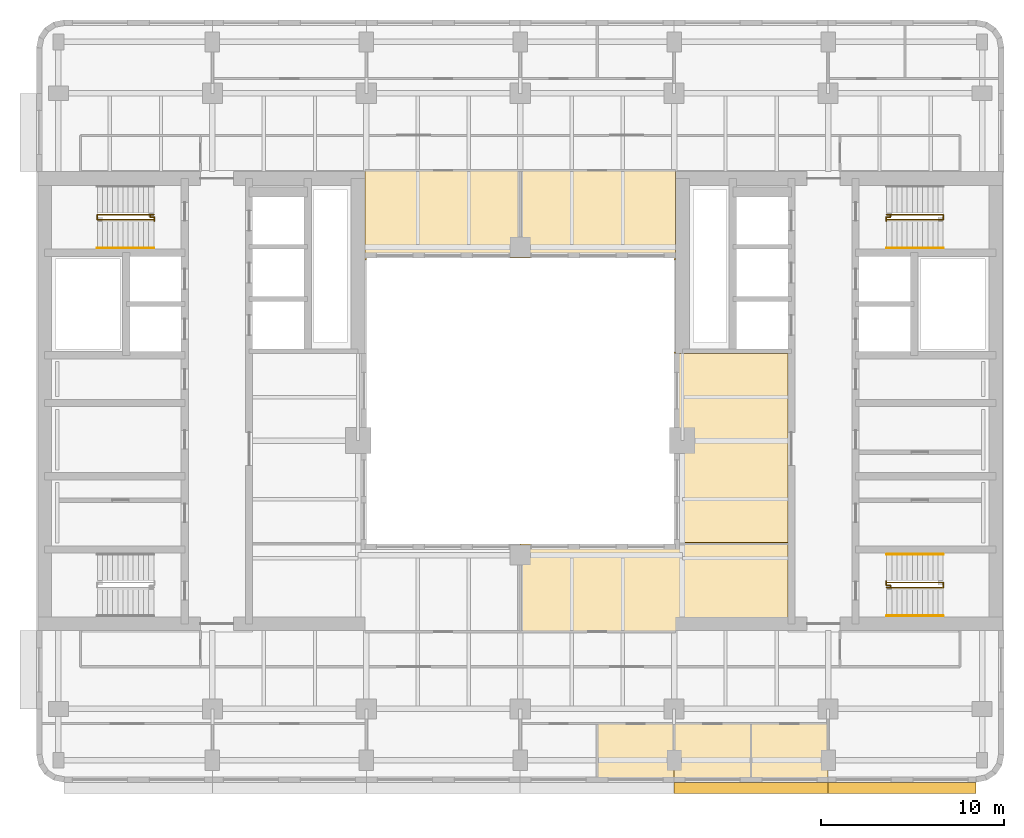
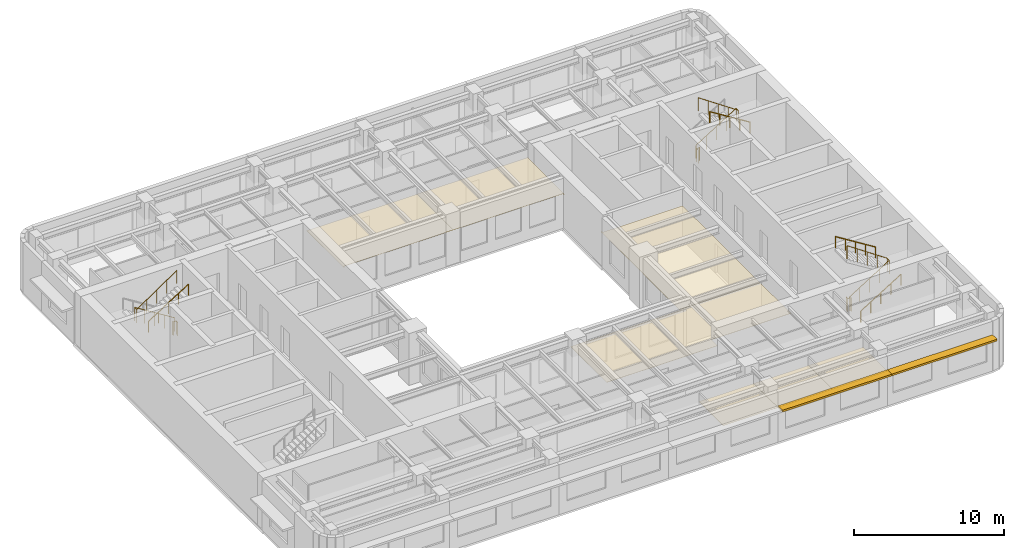
# One storey, part 10 of 11: 10 railings, 7 coverings, 2 shading devices.
"""IFC4 building model written with IfcOpenShell, lengths in metres."""

from ifc_helpers import new_model, si_unit, direction, frame, origin, origin_2d, place, context, subcontext, project, spatial, polyline, rectangle, circle, outline, extrude, material, layer, layer_set, type_object, element, save


model = new_model("IFC4")

# Units and contexts
model_context = context("Model", 3, precision=1e-05, world=origin(), true_north=direction((0.0, 1.0)))
body_context = subcontext(model_context, "Body", "Model", "MODEL_VIEW")
ifc_project = project(units=[si_unit("LENGTHUNIT", "METRE"), si_unit("AREAUNIT", "SQUARE_METRE"), si_unit("VOLUMEUNIT", "CUBIC_METRE"), si_unit("PLANEANGLEUNIT", "RADIAN"), si_unit("MASSUNIT", "GRAM", prefix="KILO")], contexts=[model_context])

# Site, building, storey
site_placement = place(None, origin())
site = spatial("IfcSite", under=ifc_project, at=site_placement, CompositionType="ELEMENT")
building_placement = place(site_placement, origin())
building = spatial("IfcBuilding", under=site, at=building_placement, Name="Claustro Exchange Tower", CompositionType="ELEMENT")
storey_placement = place(building_placement, frame((0.0, 0.0, 228.0)))
storey = spatial("IfcBuildingStorey", under=building, at=storey_placement, Name="L52", CompositionType="ELEMENT", Elevation=228.0)

# Coverings
ifc_material_1 = material(Name="Gypsum board ceiling", Category="gypsum board")
ifc_layer_1 = layer(ifc_material_1, 0.02490234375)
ifc_layer_set_1 = layer_set([ifc_layer_1], Name="Gypsum board ceiling")
covering_type = type_object("IfcCoveringType", Name="CL2 plasterboard ceiling", PredefinedType="CEILING", material=ifc_layer_set_1)
covering_1_placement = place(storey_placement, frame((0.0, 0.0, 2.800048828125)))
element("IfcCovering", 1, at=covering_1_placement, inside=storey, type_object=covering_type, Name="Ceiling CL2 L52-04", PredefinedType="CEILING", context=body_context, shape_type="SweptSolid", body=[
    extrude(outline(polyline([(29.39990234375, 4.39990234375), (33.60009765625, 4.39990234375), (33.60009765625, 7.60009765625), (29.39990234375, 7.60009765625), (29.39990234375, 4.39990234375)])), origin(), (0.0, 0.0, 1.0), 0.02490234375),
])
covering_2_placement = place(storey_placement, frame((0.0, 0.0, 2.800048828125)))
element("IfcCovering", 2, at=covering_2_placement, inside=storey, type_object=covering_type, Name="Ceiling CL2 L52-05", PredefinedType="CEILING", context=body_context, shape_type="SweptSolid", body=[
    extrude(outline(polyline([(33.60009765625, 4.39990234375), (37.800048828125, 4.39990234375), (37.800048828125, 7.60009765625), (33.60009765625, 7.60009765625), (33.60009765625, 4.39990234375)])), origin(), (0.0, 0.0, 1.0), 0.02490234375),
])
covering_3_placement = place(storey_placement, frame((0.0, 0.0, 2.800048828125)))
element("IfcCovering", 3, at=covering_3_placement, inside=storey, type_object=covering_type, Name="Ceiling CL2 L52-06", PredefinedType="CEILING", context=body_context, shape_type="SweptSolid", body=[
    extrude(outline(polyline([(37.800048828125, 4.39990234375), (42.0, 4.39990234375), (42.0, 7.60009765625), (37.800048828125, 7.60009765625), (37.800048828125, 4.39990234375)])), origin(), (0.0, 0.0, 1.0), 0.02490234375),
])
covering_4_placement = place(storey_placement, frame((0.0, 0.0, 2.800048828125)))
element("IfcCovering", 4, at=covering_4_placement, inside=storey, type_object=covering_type, Name="Ceiling CL2 L52-12", PredefinedType="CEILING", context=body_context, shape_type="SweptSolid", body=[
    extrude(outline(polyline([(39.800048828125, 13.405029296875), (39.800048828125, 17.4951171875), (33.60009765625, 17.4951171875), (33.60009765625, 17.39990234375), (25.199951171875, 17.39990234375), (25.199951171875, 12.60009765625), (33.695068359375, 12.60009765625), (33.695068359375, 13.405029296875), (39.800048828125, 13.405029296875)])), origin(), (0.0, 0.0, 1.0), 0.02490234375),
])
covering_5_placement = place(storey_placement, frame((0.0, 0.0, 2.800048828125)))
element("IfcCovering", 5, at=covering_5_placement, inside=storey, type_object=covering_type, Name="Ceiling CL2 L52-14", PredefinedType="CEILING", context=body_context, shape_type="SweptSolid", body=[
    extrude(outline(polyline([(33.60009765625, 27.89501953125), (33.60009765625, 17.304931640625), (39.800048828125, 17.304931640625), (39.800048828125, 27.800048828125), (33.675048828125, 27.800048828125), (33.675048828125, 27.89501953125), (33.60009765625, 27.89501953125)])), origin(), (0.0, 0.0, 1.0), 0.02490234375),
])
covering_6_placement = place(storey_placement, frame((0.0, 0.0, 2.800048828125)))
element("IfcCovering", 6, at=covering_6_placement, inside=storey, type_object=covering_type, Name="Ceiling CL2 L52-15", PredefinedType="CEILING", context=body_context, shape_type="SweptSolid", body=[
    extrude(outline(polyline([(25.199951171875, 37.800048828125), (16.705078125, 37.800048828125), (16.705078125, 37.72509765625), (16.72509765625, 37.72509765625), (16.72509765625, 32.905029296875), (16.800048828125, 32.905029296875), (16.800048828125, 33.0), (25.199951171875, 33.0), (25.199951171875, 37.800048828125)])), origin(), (0.0, 0.0, 1.0), 0.02490234375),
])
covering_7_placement = place(storey_placement, frame((0.0, 0.0, 2.800048828125)))
element("IfcCovering", 7, at=covering_7_placement, inside=storey, type_object=covering_type, Name="Ceiling CL2 L52-16", PredefinedType="CEILING", context=body_context, shape_type="SweptSolid", body=[
    extrude(outline(polyline([(33.60009765625, 33.0), (33.60009765625, 32.905029296875), (33.675048828125, 32.905029296875), (33.675048828125, 37.72509765625), (33.695068359375, 37.72509765625), (33.695068359375, 37.800048828125), (25.199951171875, 37.800048828125), (25.199951171875, 33.0), (33.60009765625, 33.0)])), origin(), (0.0, 0.0, 1.0), 0.02490234375),
])

# Railings
ifc_material_2 = material(Name="Steel balustrade, painted", Category="steel")
railing_type_1 = type_object("IfcRailingType", Name="GR2 1100 steel stair guard", PredefinedType="GUARDRAIL", material=ifc_material_2)
railing_1_placement = place(storey_placement, frame((5.199951171875, 35.375, 0.175048828125)))
element("IfcRailing", 8, at=railing_1_placement, inside=storey, type_object=railing_type_1, Name="Stair well guard GR2 stair STWB L52", PredefinedType="GUARDRAIL", context=body_context, shape_type="SweptSolid", body=[
    extrude(circle(Radius=0.02392578125, at=origin_2d()), frame((0.0, 0.0, 1.076171875), z_axis=(-0.847979421464, 0.0, 0.530029150871), x_axis=(0.0, -1.0, 0.0)), (0.0, 0.0, 1.0), 3.632080078125),
    extrude(circle(Radius=0.02392578125, at=origin_2d()), frame((-3.079833984375, 0.0, 3.0009765625), z_axis=(0.0, -1.0, 0.0), x_axis=(1.0, 0.0, 0.0)), (0.0, 0.0, 1.0), 0.27490234375),
    extrude(circle(Radius=0.02392578125, at=origin_2d()), frame((-3.079833984375, -0.27490234375, 3.0009765625), z_axis=(0.826231499792, 0.0, 0.563330727682), x_axis=(0.0, 1.0, 0.0)), (0.0, 0.0, 1.0), 3.7275390625),
    extrude(circle(Radius=0.02099609375, at=origin_2d()), origin(), (0.0, 0.0, 1.0), 1.052001953125),
    extrude(circle(Radius=0.02099609375, at=origin_2d()), frame((-0.77001953125, 0.0, 0.481201171875)), (0.0, 0.0, 1.0), 1.052001953125),
    extrude(circle(Radius=0.02099609375, at=origin_2d()), frame((-1.5400390625, 0.0, 0.96240234375)), (0.0, 0.0, 1.0), 1.052001953125),
    extrude(circle(Radius=0.02099609375, at=origin_2d()), frame((-2.309814453125, 0.0, 1.44384765625)), (0.0, 0.0, 1.0), 1.052001953125),
    extrude(circle(Radius=0.02099609375, at=origin_2d()), frame((-3.079833984375, 0.0, 1.925048828125)), (0.0, 0.0, 1.0), 1.052001953125),
    extrude(circle(Radius=0.02099609375, at=origin_2d()), frame((-3.079833984375, -0.27490234375, 1.925048828125)), (0.0, 0.0, 1.0), 1.052001953125),
    extrude(circle(Radius=0.02099609375, at=origin_2d()), frame((-2.309814453125, -0.27490234375, 2.449951171875)), (0.0, 0.0, 1.0), 1.052001953125),
    extrude(circle(Radius=0.02099609375, at=origin_2d()), frame((-1.5400390625, -0.27490234375, 2.97509765625)), (0.0, 0.0, 1.0), 1.052001953125),
    extrude(circle(Radius=0.02099609375, at=origin_2d()), frame((-0.77001953125, -0.27490234375, 3.5)), (0.0, 0.0, 1.0), 1.052001953125),
    extrude(circle(Radius=0.02099609375, at=origin_2d()), frame((0.0, -0.27490234375, 4.02490234375)), (0.0, 0.0, 1.0), 1.052001953125),
])
railing_2_placement = place(storey_placement, frame((5.0, 35.304931640625, 0.0)))
element("IfcRailing", 9, at=railing_2_placement, inside=storey, type_object=railing_type_1, Name="Stair guard GR2 STWB L52", PredefinedType="GUARDRAIL", context=body_context, shape_type="SweptSolid", body=[
    extrude(circle(Radius=0.02392578125, at=origin_2d()), frame((0.0, 0.0, 1.076171875), z_axis=(0.0, -1.0, 0.0), x_axis=(1.0, 0.0, 0.0)), (0.0, 0.0, 1.0), 0.0673828125),
    extrude(circle(Radius=0.02392578125, at=origin_2d()), frame((0.0, -0.0673828125, 1.076171875), z_axis=(1.0, 0.0, 0.0), x_axis=(0.0, 1.0, 0.0)), (0.0, 0.0, 1.0), 0.22509765625),
    extrude(circle(Radius=0.02392578125, at=origin_2d()), frame((0.22509765625, -0.0673828125, 1.076171875), z_axis=(0.0, -1.0, 0.0), x_axis=(1.0, 0.0, 0.0)), (0.0, 0.0, 1.0), 0.217529296875),
    extrude(circle(Radius=0.02099609375, at=origin_2d()), origin(), (0.0, 0.0, 1.0), 1.052001953125),
    extrude(circle(Radius=0.02099609375, at=origin_2d()), frame((0.0, -0.0673828125, 0.0)), (0.0, 0.0, 1.0), 1.052001953125),
    extrude(circle(Radius=0.02099609375, at=origin_2d()), frame((0.22509765625, -0.0673828125, 0.0)), (0.0, 0.0, 1.0), 1.052001953125),
    extrude(circle(Radius=0.02099609375, at=origin_2d()), frame((0.22509765625, -0.284912109375, 0.0)), (0.0, 0.0, 1.0), 1.052001953125),
])
railing_3_placement = place(storey_placement, frame((45.199951171875, 15.02490234375, 0.175048828125)))
element("IfcRailing", 10, at=railing_3_placement, inside=storey, type_object=railing_type_1, Name="Stair well guard GR2 stair STEA L52", PredefinedType="GUARDRAIL", context=body_context, shape_type="SweptSolid", body=[
    extrude(circle(Radius=0.02392578125, at=origin_2d()), frame((0.0, 0.0, 1.076171875), z_axis=(0.847998304005, 0.0, 0.529998940003), x_axis=(0.0, 1.0, 0.0)), (0.0, 0.0, 1.0), 3.632080078125),
    extrude(circle(Radius=0.02392578125, at=origin_2d()), frame((3.080078125, 0.0, 3.0009765625), z_axis=(0.0, 1.0, 0.0), x_axis=(-1.0, 0.0, 0.0)), (0.0, 0.0, 1.0), 0.275146484375),
    extrude(circle(Radius=0.02392578125, at=origin_2d()), frame((3.080078125, 0.275146484375, 3.0009765625), z_axis=(-0.826252282691, 0.0, 0.563300244406), x_axis=(0.0, -1.0, 0.0)), (0.0, 0.0, 1.0), 3.727783203125),
    extrude(circle(Radius=0.02099609375, at=origin_2d()), origin(), (0.0, 0.0, 1.0), 1.052001953125),
    extrude(circle(Radius=0.02099609375, at=origin_2d()), frame((0.77001953125, 0.0, 0.481201171875)), (0.0, 0.0, 1.0), 1.052001953125),
    extrude(circle(Radius=0.02099609375, at=origin_2d()), frame((1.5400390625, 0.0, 0.96240234375)), (0.0, 0.0, 1.0), 1.052001953125),
    extrude(circle(Radius=0.02099609375, at=origin_2d()), frame((2.31005859375, 0.0, 1.44384765625)), (0.0, 0.0, 1.0), 1.052001953125),
    extrude(circle(Radius=0.02099609375, at=origin_2d()), frame((3.080078125, 0.0, 1.925048828125)), (0.0, 0.0, 1.0), 1.052001953125),
    extrude(circle(Radius=0.02099609375, at=origin_2d()), frame((3.080078125, 0.275146484375, 1.925048828125)), (0.0, 0.0, 1.0), 1.052001953125),
    extrude(circle(Radius=0.02099609375, at=origin_2d()), frame((2.31005859375, 0.275146484375, 2.449951171875)), (0.0, 0.0, 1.0), 1.052001953125),
    extrude(circle(Radius=0.02099609375, at=origin_2d()), frame((1.5400390625, 0.275146484375, 2.97509765625)), (0.0, 0.0, 1.0), 1.052001953125),
    extrude(circle(Radius=0.02099609375, at=origin_2d()), frame((0.77001953125, 0.275146484375, 3.5)), (0.0, 0.0, 1.0), 1.052001953125),
    extrude(circle(Radius=0.02099609375, at=origin_2d()), frame((0.0, 0.275146484375, 4.02490234375)), (0.0, 0.0, 1.0), 1.052001953125),
])
railing_4_placement = place(storey_placement, frame((45.39990234375, 15.094970703125, 0.0)))
element("IfcRailing", 11, at=railing_4_placement, inside=storey, type_object=railing_type_1, Name="Stair guard GR2 STEA L52", PredefinedType="GUARDRAIL", context=body_context, shape_type="SweptSolid", body=[
    extrude(circle(Radius=0.02392578125, at=origin_2d()), frame((0.0, 0.0, 1.076171875), z_axis=(0.0, 1.0, 0.0), x_axis=(-1.0, 0.0, 0.0)), (0.0, 0.0, 1.0), 0.067626953125),
    extrude(circle(Radius=0.02392578125, at=origin_2d()), frame((0.0, 0.067626953125, 1.076171875), z_axis=(-1.0, 0.0, 0.0), x_axis=(0.0, -1.0, 0.0)), (0.0, 0.0, 1.0), 0.224853515625),
    extrude(circle(Radius=0.02392578125, at=origin_2d()), frame((-0.224853515625, 0.067626953125, 1.076171875), z_axis=(0.0, 1.0, 0.0), x_axis=(-1.0, 0.0, 0.0)), (0.0, 0.0, 1.0), 0.21728515625),
    extrude(circle(Radius=0.02099609375, at=origin_2d()), origin(), (0.0, 0.0, 1.0), 1.052001953125),
    extrude(circle(Radius=0.02099609375, at=origin_2d()), frame((0.0, 0.067626953125, 0.0)), (0.0, 0.0, 1.0), 1.052001953125),
    extrude(circle(Radius=0.02099609375, at=origin_2d()), frame((-0.224853515625, 0.067626953125, 0.0)), (0.0, 0.0, 1.0), 1.052001953125),
    extrude(circle(Radius=0.02099609375, at=origin_2d()), frame((-0.224853515625, 0.284912109375, 0.0)), (0.0, 0.0, 1.0), 1.052001953125),
])
railing_5_placement = place(storey_placement, frame((45.199951171875, 35.375, 0.175048828125)))
element("IfcRailing", 12, at=railing_5_placement, inside=storey, type_object=railing_type_1, Name="Stair well guard GR2 stair STEB L52", PredefinedType="GUARDRAIL", context=body_context, shape_type="SweptSolid", body=[
    extrude(circle(Radius=0.02392578125, at=origin_2d()), frame((0.0, 0.0, 1.076171875), z_axis=(0.847998304005, 0.0, 0.529998940003), x_axis=(0.0, 1.0, 0.0)), (0.0, 0.0, 1.0), 3.632080078125),
    extrude(circle(Radius=0.02392578125, at=origin_2d()), frame((3.080078125, 0.0, 3.0009765625), z_axis=(0.0, -1.0, 0.0), x_axis=(1.0, 0.0, 0.0)), (0.0, 0.0, 1.0), 0.27490234375),
    extrude(circle(Radius=0.02392578125, at=origin_2d()), frame((3.080078125, -0.27490234375, 3.0009765625), z_axis=(-0.826252282691, 0.0, 0.563300244406), x_axis=(0.0, -1.0, 0.0)), (0.0, 0.0, 1.0), 3.727783203125),
    extrude(circle(Radius=0.02099609375, at=origin_2d()), origin(), (0.0, 0.0, 1.0), 1.052001953125),
    extrude(circle(Radius=0.02099609375, at=origin_2d()), frame((0.77001953125, 0.0, 0.481201171875)), (0.0, 0.0, 1.0), 1.052001953125),
    extrude(circle(Radius=0.02099609375, at=origin_2d()), frame((1.5400390625, 0.0, 0.96240234375)), (0.0, 0.0, 1.0), 1.052001953125),
    extrude(circle(Radius=0.02099609375, at=origin_2d()), frame((2.31005859375, 0.0, 1.44384765625)), (0.0, 0.0, 1.0), 1.052001953125),
    extrude(circle(Radius=0.02099609375, at=origin_2d()), frame((3.080078125, 0.0, 1.925048828125)), (0.0, 0.0, 1.0), 1.052001953125),
    extrude(circle(Radius=0.02099609375, at=origin_2d()), frame((3.080078125, -0.27490234375, 1.925048828125)), (0.0, 0.0, 1.0), 1.052001953125),
    extrude(circle(Radius=0.02099609375, at=origin_2d()), frame((2.31005859375, -0.27490234375, 2.449951171875)), (0.0, 0.0, 1.0), 1.052001953125),
    extrude(circle(Radius=0.02099609375, at=origin_2d()), frame((1.5400390625, -0.27490234375, 2.97509765625)), (0.0, 0.0, 1.0), 1.052001953125),
    extrude(circle(Radius=0.02099609375, at=origin_2d()), frame((0.77001953125, -0.27490234375, 3.5)), (0.0, 0.0, 1.0), 1.052001953125),
    extrude(circle(Radius=0.02099609375, at=origin_2d()), frame((0.0, -0.27490234375, 4.02490234375)), (0.0, 0.0, 1.0), 1.052001953125),
])
railing_6_placement = place(storey_placement, frame((45.39990234375, 35.304931640625, 0.0)))
element("IfcRailing", 13, at=railing_6_placement, inside=storey, type_object=railing_type_1, Name="Stair guard GR2 STEB L52", PredefinedType="GUARDRAIL", context=body_context, shape_type="SweptSolid", body=[
    extrude(circle(Radius=0.02392578125, at=origin_2d()), frame((0.0, 0.0, 1.076171875), z_axis=(0.0, -1.0, 0.0), x_axis=(1.0, 0.0, 0.0)), (0.0, 0.0, 1.0), 0.0673828125),
    extrude(circle(Radius=0.02392578125, at=origin_2d()), frame((0.0, -0.0673828125, 1.076171875), z_axis=(-1.0, 0.0, 0.0), x_axis=(0.0, -1.0, 0.0)), (0.0, 0.0, 1.0), 0.224853515625),
    extrude(circle(Radius=0.02392578125, at=origin_2d()), frame((-0.224853515625, -0.0673828125, 1.076171875), z_axis=(0.0, -1.0, 0.0), x_axis=(1.0, 0.0, 0.0)), (0.0, 0.0, 1.0), 0.217529296875),
    extrude(circle(Radius=0.02099609375, at=origin_2d()), origin(), (0.0, 0.0, 1.0), 1.052001953125),
    extrude(circle(Radius=0.02099609375, at=origin_2d()), frame((0.0, -0.0673828125, 0.0)), (0.0, 0.0, 1.0), 1.052001953125),
    extrude(circle(Radius=0.02099609375, at=origin_2d()), frame((-0.224853515625, -0.0673828125, 0.0)), (0.0, 0.0, 1.0), 1.052001953125),
    extrude(circle(Radius=0.02099609375, at=origin_2d()), frame((-0.224853515625, -0.284912109375, 0.0)), (0.0, 0.0, 1.0), 1.052001953125),
])
ifc_material_3 = material(Name="Stainless steel tube", Category="steel")
railing_type_2 = type_object("IfcRailingType", Name="HR1 900 stair handrail", PredefinedType="HANDRAIL", material=ifc_material_3)
railing_7_placement = place(storey_placement, frame((2.1201171875, 33.56005859375, 2.27490234375)))
element("IfcRailing", 14, at=railing_7_placement, inside=storey, type_object=railing_type_2, Name="Handrail HR1 stair STWB L52", PredefinedType="HANDRAIL", context=body_context, shape_type="SweptSolid", body=[
    extrude(circle(Radius=0.02392578125, at=origin_2d()), frame((0.0, 0.0, 0.8759765625), z_axis=(0.847979421464, 0.0, 0.530029150871), x_axis=(0.0, 1.0, 0.0)), (0.0, 0.0, 1.0), 3.632080078125),
    extrude(circle(Radius=0.02099609375, at=origin_2d()), origin(), (0.0, 0.0, 1.0), 0.851806640625),
    extrude(circle(Radius=0.02099609375, at=origin_2d()), frame((0.77001953125, 0.0, 0.481201171875)), (0.0, 0.0, 1.0), 0.851806640625),
    extrude(circle(Radius=0.02099609375, at=origin_2d()), frame((1.5400390625, 0.0, 0.96240234375)), (0.0, 0.0, 1.0), 0.851806640625),
    extrude(circle(Radius=0.02099609375, at=origin_2d()), frame((2.309814453125, 0.0, 1.44384765625)), (0.0, 0.0, 1.0), 0.851806640625),
    extrude(circle(Radius=0.02099609375, at=origin_2d()), frame((3.079833984375, 0.0, 1.925048828125)), (0.0, 0.0, 1.0), 0.851806640625),
])
railing_8_placement = place(storey_placement, frame((45.199951171875, 13.485107421875, 0.175048828125)))
element("IfcRailing", 15, at=railing_8_placement, inside=storey, type_object=railing_type_2, Name="Handrail HR1 stair STEA L52", PredefinedType="HANDRAIL", context=body_context, shape_type="SweptSolid", body=[
    extrude(circle(Radius=0.02392578125, at=origin_2d()), frame((0.0, 0.0, 0.8759765625), z_axis=(0.847998304005, 0.0, 0.529998940003), x_axis=(0.0, 1.0, 0.0)), (0.0, 0.0, 1.0), 3.632080078125),
    extrude(circle(Radius=0.02099609375, at=origin_2d()), origin(), (0.0, 0.0, 1.0), 0.851806640625),
    extrude(circle(Radius=0.02099609375, at=origin_2d()), frame((0.77001953125, 0.0, 0.481201171875)), (0.0, 0.0, 1.0), 0.851806640625),
    extrude(circle(Radius=0.02099609375, at=origin_2d()), frame((1.5400390625, 0.0, 0.96240234375)), (0.0, 0.0, 1.0), 0.851806640625),
    extrude(circle(Radius=0.02099609375, at=origin_2d()), frame((2.31005859375, 0.0, 1.44384765625)), (0.0, 0.0, 1.0), 0.851806640625),
    extrude(circle(Radius=0.02099609375, at=origin_2d()), frame((3.080078125, 0.0, 1.925048828125)), (0.0, 0.0, 1.0), 0.851806640625),
])
for number, where, name in (
    (16, (48.280029296875, 16.840087890625, 2.27490234375), "Handrail HR1 stair STEA L52"),
    (17, (48.280029296875, 33.56005859375, 2.27490234375), "Handrail HR1 stair STEB L52"),
):
    element("IfcRailing", number, at=place(storey_placement, frame(where)), inside=storey, type_object=railing_type_2, Name=name, PredefinedType="HANDRAIL", context=body_context, shape_type="SweptSolid", body=[
        extrude(circle(Radius=0.02392578125, at=origin_2d()), frame((0.0, 0.0, 0.8759765625), z_axis=(-0.847998304005, 0.0, 0.529998940003), x_axis=(0.0, -1.0, 0.0)), (0.0, 0.0, 1.0), 3.632080078125),
        extrude(circle(Radius=0.02099609375, at=origin_2d()), origin(), (0.0, 0.0, 1.0), 0.851806640625),
        extrude(circle(Radius=0.02099609375, at=origin_2d()), frame((-0.77001953125, 0.0, 0.481201171875)), (0.0, 0.0, 1.0), 0.851806640625),
        extrude(circle(Radius=0.02099609375, at=origin_2d()), frame((-1.5400390625, 0.0, 0.96240234375)), (0.0, 0.0, 1.0), 0.851806640625),
        extrude(circle(Radius=0.02099609375, at=origin_2d()), frame((-2.31005859375, 0.0, 1.44384765625)), (0.0, 0.0, 1.0), 0.851806640625),
        extrude(circle(Radius=0.02099609375, at=origin_2d()), frame((-3.080078125, 0.0, 1.925048828125)), (0.0, 0.0, 1.0), 0.851806640625),
    ])

# Shading devices
ifc_material_4 = material(Name="Concrete HA-40 (C40/50), precast, white cement, acid-etched", Category="concrete")
ifc_layer_2 = layer(ifc_material_4, 0.14990234375)
ifc_layer_set_2 = layer_set([ifc_layer_2], Name="Concrete HA-40 (C40/50), precast, white cement, acid-etched")
shading_device_type = type_object("IfcShadingDeviceType", Name="SS1 600 precast concrete SUNSHADE", PredefinedType="SHUTTER", material=ifc_layer_set_2)
shading_device_1_placement = place(storey_placement, frame((46.04248046875, 4.10009765625, 2.800048828125), z_axis=(0.0, 0.0, 1.0), x_axis=(-1.0, 0.0, 0.0)))
element("IfcShadingDevice", 18, at=shading_device_1_placement, inside=storey, type_object=shading_device_type, Name="Precast SUNSHADE SS1 L52", PredefinedType="SHUTTER", context=body_context, shape_type="SweptSolid", body=[
    extrude(rectangle(XDim=8.085205078125, YDim=0.60009765625, at=origin_2d()), origin(), (0.0, 0.0, 1.0), 0.14990234375),
])
shading_device_2_placement = place(storey_placement, frame((37.800048828125, 4.10009765625, 2.800048828125), z_axis=(0.0, 0.0, 1.0), x_axis=(-1.0, 0.0, 0.0)))
element("IfcShadingDevice", 19, at=shading_device_2_placement, inside=storey, type_object=shading_device_type, Name="Precast SUNSHADE SS1 L52", PredefinedType="SHUTTER", context=body_context, shape_type="SweptSolid", body=[
    extrude(rectangle(XDim=8.39990234375, YDim=0.60009765625, at=origin_2d()), origin(), (0.0, 0.0, 1.0), 0.14990234375),
])

save(model, "model.ifc")
